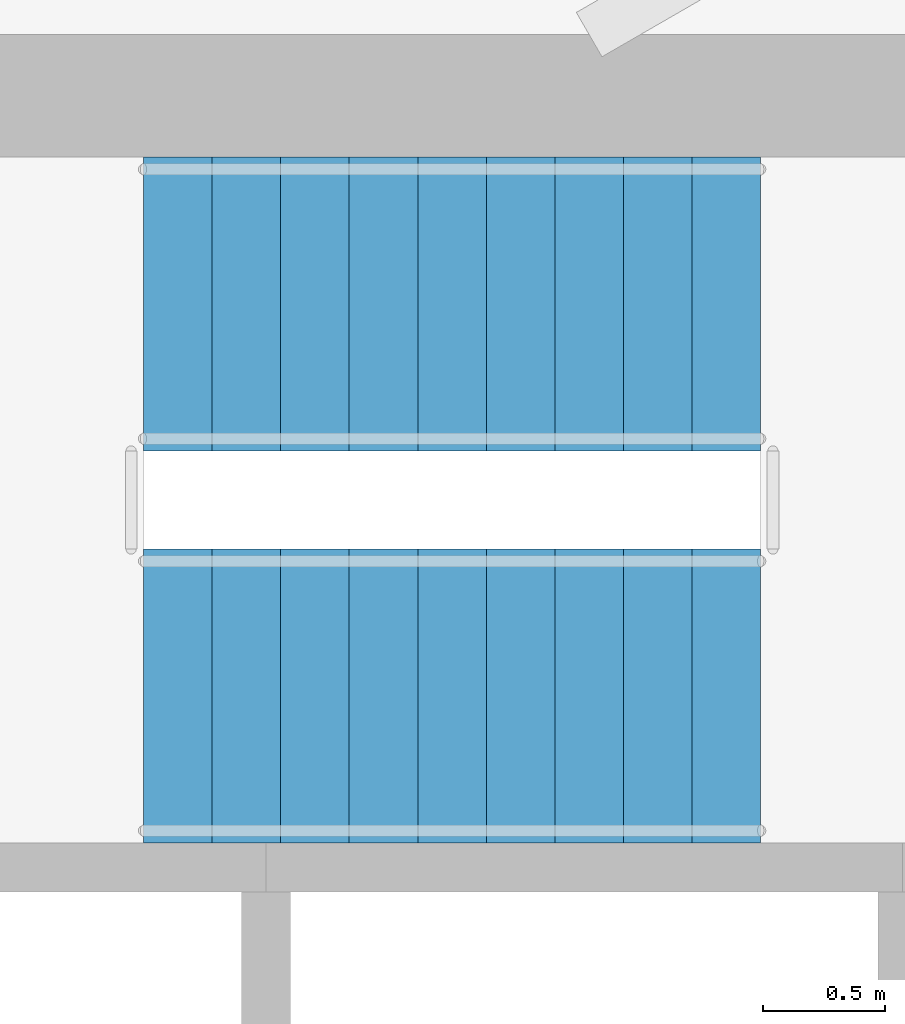
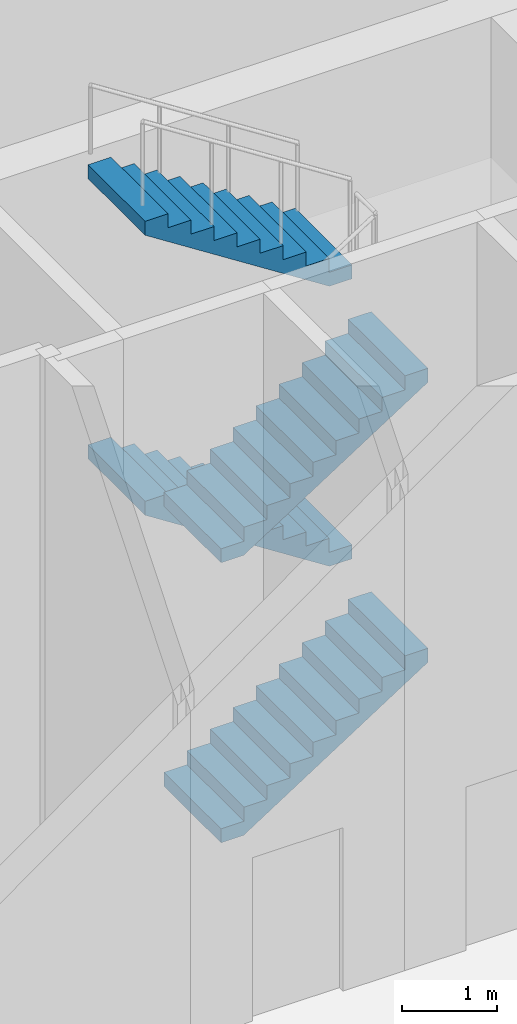
# One storey, part 16 of 23: 4 stair flights, 1 element without a shape of its own.
"""IFC4 building model written with IfcOpenShell, lengths in metres."""

from ifc_helpers import new_model, si_unit, direction, frame, origin, place, context, subcontext, project, spatial, polyline, outline, extrude, material, type_object, element, aggregate, save


model = new_model("IFC4")

# Units and contexts
model_context = context("Model", 3, precision=1e-05, world=origin(), true_north=direction((0.0, 1.0)))
body_context = subcontext(model_context, "Body", "Model", "MODEL_VIEW")
ifc_project = project(units=[si_unit("LENGTHUNIT", "METRE"), si_unit("AREAUNIT", "SQUARE_METRE"), si_unit("VOLUMEUNIT", "CUBIC_METRE"), si_unit("PLANEANGLEUNIT", "RADIAN"), si_unit("MASSUNIT", "GRAM", prefix="KILO")], contexts=[model_context])

# Site, building, storey
site_placement = place(None, origin())
site = spatial("IfcSite", under=ifc_project, at=site_placement, CompositionType="ELEMENT")
building_placement = place(site_placement, origin())
building = spatial("IfcBuilding", under=site, at=building_placement, Name="Sierra Prisma Convention Tower", CompositionType="ELEMENT")
storey_placement = place(building_placement, frame((0.0, 0.0, 40.800048828125)))
storey = spatial("IfcBuildingStorey", under=building, at=storey_placement, Name="L06", CompositionType="ELEMENT", Elevation=40.800048828125)

# Stair, stair flights
ifc_material_1 = material(Name="Concrete C30/37", Category="concrete")
stair_type = type_object("IfcStairType", Name="Stair dog-leg 1200 RC", PredefinedType="HALF_TURN_STAIR", material=ifc_material_1)
stair_placement = place(storey_placement, origin())
stair = element("IfcStair", 1, at=stair_placement, inside=storey, type_object=stair_type, Name="L06 S4", PredefinedType="HALF_TURN_STAIR")
ifc_material_2 = material(Name="Concrete C30/37", Category="concrete")
stair_flight_type = type_object("IfcStairFlightType", Name="Stair flight RC 1200", PredefinedType="STRAIGHT", material=ifc_material_2)
stair_flight_1_placement = place(storey_placement, frame((5.60009765625, 5.300048828125, 0.0), z_axis=(0.0, 0.0, 1.0), x_axis=(1.0, 0.0, 0.0)))
stair_flight_1 = element("IfcStairFlight", 2, at=stair_flight_1_placement, type_object=stair_flight_type, Name="S4 flight 1", NumberOfRisers=10, NumberOfTreads=9, PredefinedType="STRAIGHT", RiserHeight=0.18, TreadLength=0.28, context=body_context, shape_type="SweptSolid", body=[
    extrude(outline(polyline([(0.0, 0.0), (0.0, 0.179931640625), (0.280029296875, 0.179931640625), (0.280029296875, 0.360107421875), (0.56005859375, 0.360107421875), (0.56005859375, 0.5400390625), (0.840087890625, 0.5400390625), (0.840087890625, 0.719970703125), (1.1201171875, 0.719970703125), (1.1201171875, 0.89990234375), (1.39990234375, 0.89990234375), (1.39990234375, 1.080078125), (1.679931640625, 1.080078125), (1.679931640625, 1.260009765625), (1.9599609375, 1.260009765625), (1.9599609375, 1.43994140625), (2.239990234375, 1.43994140625), (2.239990234375, 1.6201171875), (2.52001953125, 1.6201171875), (2.52001953125, 1.800048828125), (2.52001953125, 1.44189453125), (0.277099609375, 0.0), (0.0, 0.0)])), frame((0.0, 0.60009765625, 0.0), z_axis=(0.0, -1.0, 0.0), x_axis=(1.0, 0.0, 0.0)), (0.0, 0.0, 1.0), 1.199951171875),
])
stair_flight_2_placement = place(storey_placement, frame((8.1201171875, 6.89990234375, 1.800048828125), z_axis=(0.0, 0.0, 1.0), x_axis=(-1.0, 0.0, 0.0)))
stair_flight_2 = element("IfcStairFlight", 3, at=stair_flight_2_placement, type_object=stair_flight_type, Name="S4 flight 2", NumberOfRisers=10, NumberOfTreads=9, PredefinedType="STRAIGHT", RiserHeight=0.18, TreadLength=0.28, context=body_context, shape_type="SweptSolid", body=[
    extrude(outline(polyline([(0.0, 0.0), (0.0, 0.179931640625), (0.280029296875, 0.179931640625), (0.280029296875, 0.360107421875), (0.56005859375, 0.360107421875), (0.56005859375, 0.5400390625), (0.840087890625, 0.5400390625), (0.840087890625, 0.719970703125), (1.1201171875, 0.719970703125), (1.1201171875, 0.89990234375), (1.39990234375, 0.89990234375), (1.39990234375, 1.080078125), (1.679931640625, 1.080078125), (1.679931640625, 1.260009765625), (1.9599609375, 1.260009765625), (1.9599609375, 1.43994140625), (2.239990234375, 1.43994140625), (2.239990234375, 1.6201171875), (2.52001953125, 1.6201171875), (2.52001953125, 1.800048828125), (2.52001953125, 1.44189453125), (0.277099609375, 0.0), (0.0, 0.0)])), frame((0.0, 0.60009765625, 0.0), z_axis=(0.0, -1.0, 0.0), x_axis=(1.0, 0.0, 0.0)), (0.0, 0.0, 1.0), 1.199951171875),
])
stair_flight_3_placement = place(storey_placement, frame((5.60009765625, 5.300048828125, 3.599853515625), z_axis=(0.0, 0.0, 1.0), x_axis=(1.0, 0.0, 0.0)))
stair_flight_3 = element("IfcStairFlight", 4, at=stair_flight_3_placement, type_object=stair_flight_type, Name="S4 flight 3", NumberOfRisers=10, NumberOfTreads=9, PredefinedType="STRAIGHT", RiserHeight=0.18, TreadLength=0.28, context=body_context, shape_type="SweptSolid", body=[
    extrude(outline(polyline([(0.0, 0.0), (0.0, 0.179931640625), (0.280029296875, 0.179931640625), (0.280029296875, 0.360107421875), (0.56005859375, 0.360107421875), (0.56005859375, 0.5400390625), (0.840087890625, 0.5400390625), (0.840087890625, 0.719970703125), (1.1201171875, 0.719970703125), (1.1201171875, 0.89990234375), (1.39990234375, 0.89990234375), (1.39990234375, 1.080078125), (1.679931640625, 1.080078125), (1.679931640625, 1.260009765625), (1.9599609375, 1.260009765625), (1.9599609375, 1.43994140625), (2.239990234375, 1.43994140625), (2.239990234375, 1.6201171875), (2.52001953125, 1.6201171875), (2.52001953125, 1.800048828125), (2.52001953125, 1.44189453125), (0.277099609375, 0.0), (0.0, 0.0)])), frame((0.0, 0.60009765625, 0.0), z_axis=(0.0, -1.0, 0.0), x_axis=(1.0, 0.0, 0.0)), (0.0, 0.0, 1.0), 1.199951171875),
])
stair_flight_4_placement = place(storey_placement, frame((8.1201171875, 6.89990234375, 5.39990234375), z_axis=(0.0, 0.0, 1.0), x_axis=(-1.0, 0.0, 0.0)))
stair_flight_4 = element("IfcStairFlight", 5, at=stair_flight_4_placement, type_object=stair_flight_type, Name="S4 flight 4", NumberOfRisers=10, NumberOfTreads=9, PredefinedType="STRAIGHT", RiserHeight=0.18, TreadLength=0.28, context=body_context, shape_type="SweptSolid", body=[
    extrude(outline(polyline([(0.0, 0.0), (0.0, 0.179931640625), (0.280029296875, 0.179931640625), (0.280029296875, 0.360107421875), (0.56005859375, 0.360107421875), (0.56005859375, 0.5400390625), (0.840087890625, 0.5400390625), (0.840087890625, 0.719970703125), (1.1201171875, 0.719970703125), (1.1201171875, 0.89990234375), (1.39990234375, 0.89990234375), (1.39990234375, 1.080078125), (1.679931640625, 1.080078125), (1.679931640625, 1.260009765625), (1.9599609375, 1.260009765625), (1.9599609375, 1.43994140625), (2.239990234375, 1.43994140625), (2.239990234375, 1.6201171875), (2.52001953125, 1.6201171875), (2.52001953125, 1.800048828125), (2.52001953125, 1.44189453125), (0.277099609375, 0.0), (0.0, 0.0)])), frame((0.0, 0.60009765625, 0.0), z_axis=(0.0, -1.0, 0.0), x_axis=(1.0, 0.0, 0.0)), (0.0, 0.0, 1.0), 1.199951171875),
])
aggregate(stair, [stair_flight_1, stair_flight_2, stair_flight_3, stair_flight_4])

save(model, "model.ifc")
